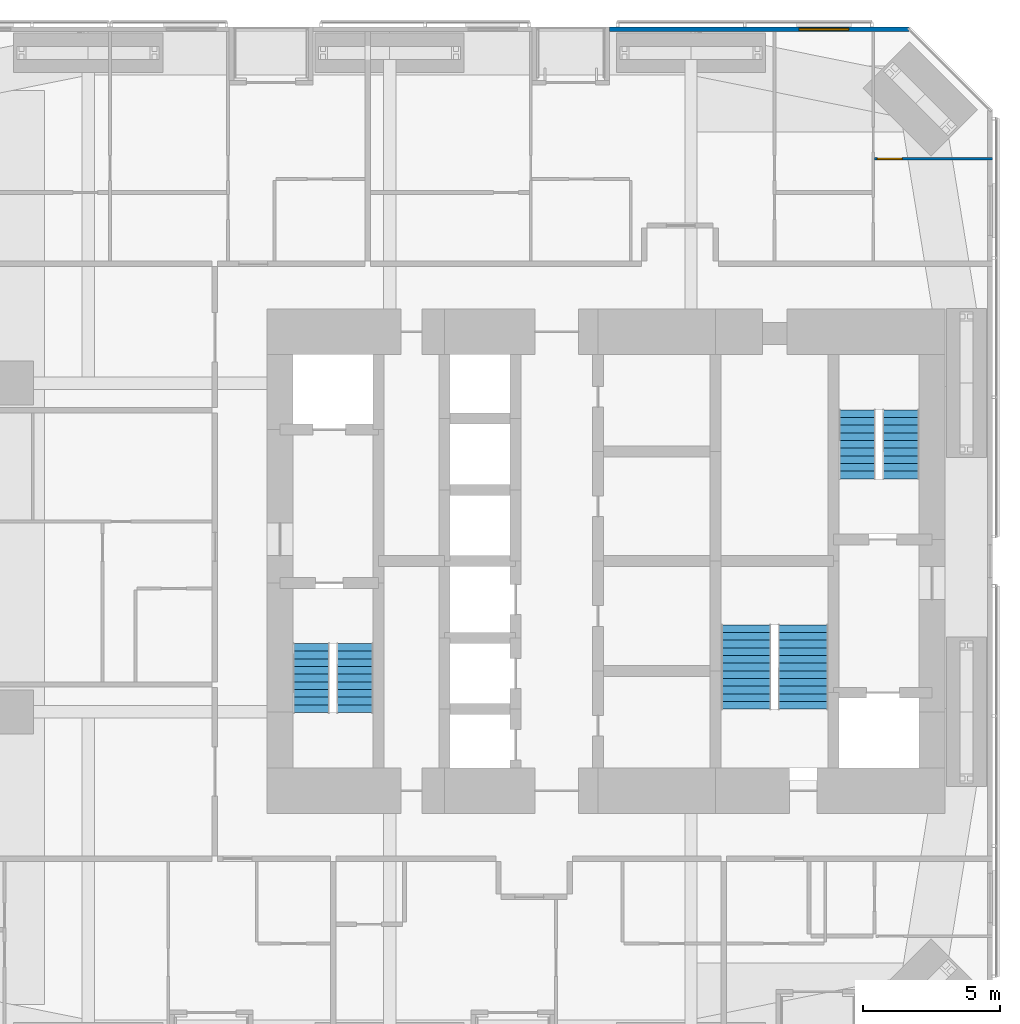
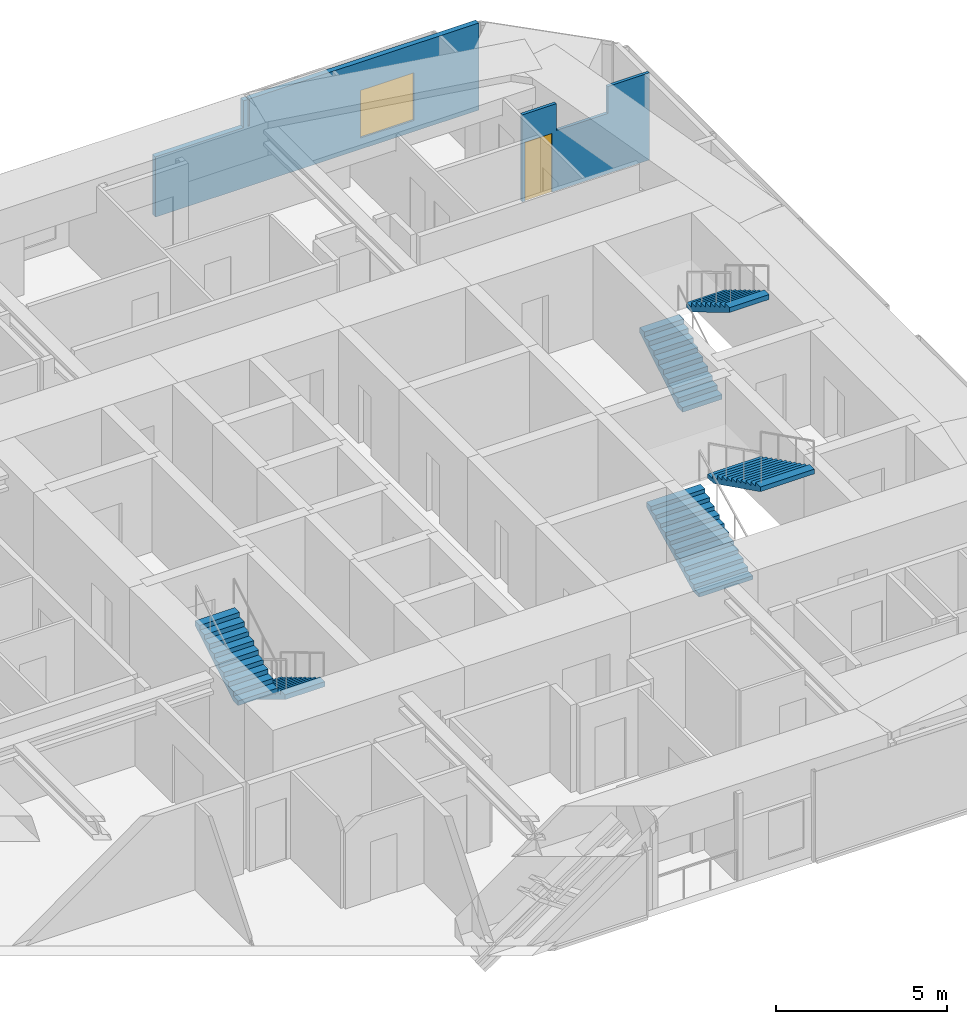
# One storey, part 22 of 23: 6 stair flights, 2 walls, 1 door, 1 window, 2 openings, 3 elements without a shape of their own.
"""IFC4 building model written with IfcOpenShell, lengths in metres."""

from ifc_helpers import new_model, si_unit, direction, frame, frame_2d, origin, place, context, subcontext, project, spatial, polyline, rectangle, outline, extrude, material, constituent, constituent_set, type_object, element, fill, aggregate, save


model = new_model("IFC4")

# Units and contexts
model_context = context("Model", 3, precision=1e-05, world=origin(), true_north=direction((0.0, 1.0)))
body_context = subcontext(model_context, "Body", "Model", "MODEL_VIEW")
ifc_project = project(units=[si_unit("LENGTHUNIT", "METRE"), si_unit("AREAUNIT", "SQUARE_METRE"), si_unit("VOLUMEUNIT", "CUBIC_METRE"), si_unit("PLANEANGLEUNIT", "RADIAN"), si_unit("MASSUNIT", "GRAM", prefix="KILO")], contexts=[model_context])

# Site, building, storey
site_placement = place(None, origin())
site = spatial("IfcSite", under=ifc_project, at=site_placement, CompositionType="ELEMENT")
building_placement = place(site_placement, origin())
building = spatial("IfcBuilding", under=site, at=building_placement, Name="Jalousie Tower", CompositionType="ELEMENT")
storey_placement = place(building_placement, frame((0.0, 0.0, 41.10009765625)))
storey = spatial("IfcBuildingStorey", under=building, at=storey_placement, Name="L10", CompositionType="ELEMENT", Elevation=41.10009765625)

# Wall, opening, window
ifc_material_1 = material(Name="Concrete f'c 40 MPa", Category="concrete")
ifc_constituent_1 = constituent(ifc_material_1, Name="Body")
ifc_material_2 = material(Name="Render, pastel coral")
ifc_constituent_2 = constituent(ifc_material_2, Name="Finish")
ifc_constituent_set_1 = constituent_set(constituents=[ifc_constituent_1, ifc_constituent_2])
wall_type_1 = type_object("IfcWallType", Name="EXTERNAL WALL 175 CORAL RENDER", PredefinedType="SOLIDWALL", material=ifc_constituent_set_1)
wall_1_placement = place(storey_placement, frame((42.94873046875, 37.91259765625, 0.0), z_axis=(0.0, 0.0, 1.0), x_axis=(-1.0, 0.0, 0.0)))
wall_1 = element("IfcWall", 1, at=wall_1_placement, inside=storey, type_object=wall_type_1, Name="External Wall 175 Coral Render L10", PredefinedType="SOLIDWALL", context=body_context, shape_type="SweptSolid", body=[
    extrude(outline(polyline([(0.0, 0.0), (10.923828125, 0.0), (10.923583984375, 2.14990234375), (7.94873046875, 2.14990234375), (7.94873046875, 3.10986328125), (7.79296875, 3.10986328125), (7.79296875, 2.14990234375), (7.74462890625, 2.14990234375), (7.74462890625, 3.10986328125), (0.0, 3.10986328125), (0.0, 0.0)])), frame((0.0, 0.08740234375, 0.0), z_axis=(0.0, -1.0, 0.0), x_axis=(1.0, 0.0, 0.0)), (0.0, 0.0, 1.0), 0.175048828125),
])
opening_1_placement = place(wall_1_placement, frame((2.19873046875, 0.0, 0.39990234375)))
opening_1 = element("IfcOpeningElement", 2, at=opening_1_placement, cuts=wall_1, Name="Opening W-BED170", PredefinedType="OPENING", context=body_context, shape_type="SweptSolid", body=[
    extrude(rectangle(XDim=1.800048828125, YDim=1.699951171875, at=frame_2d((0.89990234375, 0.85009765625))), frame((0.0, 0.097412109375, 0.0), z_axis=(0.0, -1.0, 0.0), x_axis=(1.0, 0.0, 0.0)), (0.0, 0.0, 1.0), 0.195068359375),
])
ifc_material_3 = material(Name="Aluminium frame, impact-rated glazing", Category="aluminium")
window_type = type_object("IfcWindowType", Name="WINDOW BED 1800x1700", PartitioningType="SINGLE_PANEL", PredefinedType="WINDOW", material=ifc_material_3)
window_placement = place(opening_1_placement, origin())
window = element("IfcWindow", 3, at=window_placement, inside=storey, type_object=window_type, Name="Apartment 1005 bedroom 2 window", OverallHeight=1.699951171875, OverallWidth=1.800048828125, PartitioningType="SINGLE_PANEL", PredefinedType="WINDOW", context=body_context, shape_type="SweptSolid", body=[
    extrude(rectangle(XDim=1.800048828125, YDim=1.699951171875, at=frame_2d((0.89990234375, 0.85009765625))), frame((0.0, 0.030029296875, 0.0), z_axis=(0.0, -1.0, 0.0), x_axis=(1.0, 0.0, 0.0)), (0.0, 0.0, 1.0), 0.06005859375),
])
fill(opening_1, window)

# Wall, opening, door
ifc_material_4 = material(Name="Gypsum board", Category="gypsum")
ifc_constituent_3 = constituent(ifc_material_4, Name="Body")
ifc_material_5 = material(Name="Light-gauge steel studs ASTM A653 SS Grade 33", Category="steel")
ifc_constituent_4 = constituent(ifc_material_5, Name="Framing")
ifc_constituent_set_2 = constituent_set(constituents=[ifc_constituent_3, ifc_constituent_4])
wall_type_2 = type_object("IfcWallType", Name="PARTITION 100", PredefinedType="PARTITIONING", material=ifc_constituent_set_2)
wall_2_placement = place(storey_placement, frame((41.699951171875, 33.1826171875, 0.0), z_axis=(0.0, 0.0, 1.0), x_axis=(1.0, 0.0, 0.0)))
wall_2 = element("IfcWall", 4, at=wall_2_placement, inside=storey, type_object=wall_type_2, Name="Partition 100 L10", PredefinedType="PARTITIONING", context=body_context, shape_type="SweptSolid", body=[
    extrude(outline(polyline([(0.0, 0.0), (4.300048828125, 0.0), (4.300048828125, 3.10986328125), (2.894287109375, 3.10986328125), (2.894287109375, 2.14990234375), (1.15185546875, 2.14990234375), (1.15185546875, 3.10986328125), (0.0, 3.10986328125), (0.0, 0.0)])), frame((0.0, 0.050048828125, 0.0), z_axis=(0.0, -1.0, 0.0), x_axis=(1.0, 0.0, 0.0)), (0.0, 0.0, 1.0), 0.10009765625),
])
opening_2_placement = place(wall_2_placement, frame((0.10009765625, 0.0, 0.0)))
opening_2 = element("IfcOpeningElement", 5, at=opening_2_placement, cuts=wall_2, Name="Opening D7", PredefinedType="OPENING", context=body_context, shape_type="SweptSolid", body=[
    extrude(rectangle(XDim=0.89990234375, YDim=2.10009765625, at=frame_2d((0.449951171875, 1.050048828125))), frame((0.0, 0.06005859375, 0.0), z_axis=(0.0, -1.0, 0.0), x_axis=(1.0, 0.0, 0.0)), (0.0, 0.0, 1.0), 0.1201171875),
])
ifc_material_6 = material(Name="Timber door", Category="wood")
door_type = type_object("IfcDoorType", Name="INTERNAL DOOR 900", OperationType="SINGLE_SWING_LEFT", PredefinedType="DOOR", material=ifc_material_6)
door_placement = place(opening_2_placement, frame((0.89990234375, 0.0, 0.0), z_axis=(0.0, 0.0, 1.0), x_axis=(-1.0, 0.0, 0.0)))
door = element("IfcDoor", 6, at=door_placement, inside=storey, type_object=door_type, Name="Apartment 1005 bedroom 3 dressing hall door", OperationType="SINGLE_SWING_RIGHT", OverallHeight=2.10009765625, OverallWidth=0.89990234375, PredefinedType="DOOR", context=body_context, shape_type="SweptSolid", body=[
    extrude(rectangle(XDim=0.89990234375, YDim=2.10009765625, at=frame_2d((0.449951171875, 1.050048828125))), frame((0.0, 0.02490234375, 0.0), z_axis=(0.0, -1.0, 0.0), x_axis=(1.0, 0.0, 0.0)), (0.0, 0.0, 1.0), 0.050048828125),
])
fill(opening_2, door)

# Stair, stair flights
ifc_material_7 = material(Name="Concrete f'c 40 MPa", Category="concrete")
stair_type = type_object("IfcStairType", Name="EXIT STAIR", PredefinedType="HALF_TURN_STAIR", material=ifc_material_7)
stair_1_placement = place(storey_placement, origin())
stair_1 = element("IfcStair", 7, at=stair_1_placement, inside=storey, type_object=stair_type, Name="Exit stair A L10", PredefinedType="HALF_TURN_STAIR")
ifc_material_8 = material(Name="Concrete f'c 40 MPa", Category="concrete")
stair_flight_type = type_object("IfcStairFlightType", Name="STAIR FLIGHT", PredefinedType="STRAIGHT", material=ifc_material_8)
stair_flight_1_placement = place(storey_placement, frame((22.731201171875, 15.49755859375, 0.0), z_axis=(0.0, 0.0, 1.0), x_axis=(0.0, -1.0, 0.0)))
stair_flight_1 = element("IfcStairFlight", 8, at=stair_flight_1_placement, type_object=stair_flight_type, Name="ST-A flight 1", NumberOfRisers=10, NumberOfTreads=9, PredefinedType="STRAIGHT", RiserHeight=0.1675, TreadLength=0.28, context=body_context, shape_type="SweptSolid", body=[
    extrude(outline(polyline([(0.0, 0.0), (0.0, 0.16748046875), (0.280029296875, 0.16748046875), (0.280029296875, 0.3349609375), (0.56005859375, 0.3349609375), (0.56005859375, 0.50244140625), (0.840087890625, 0.50244140625), (0.840087890625, 0.669921875), (1.1201171875, 0.669921875), (1.1201171875, 0.83740234375), (1.39990234375, 0.83740234375), (1.39990234375, 1.0048828125), (1.679931640625, 1.0048828125), (1.679931640625, 1.172607421875), (1.9599609375, 1.172607421875), (1.9599609375, 1.340087890625), (2.239990234375, 1.340087890625), (2.239990234375, 1.507568359375), (2.52001953125, 1.507568359375), (2.52001953125, 1.675048828125), (2.52001953125, 1.332763671875), (0.2919921875, 0.0), (0.0, 0.0)])), frame((0.0, 0.668701171875, 0.0), z_axis=(0.0, -1.0, 0.0), x_axis=(1.0, 0.0, 0.0)), (0.0, 0.0, 1.0), 1.33740234375),
])
stair_flight_2_placement = place(storey_placement, frame((21.143798828125, 12.9775390625, 1.6748046875), z_axis=(0.0, 0.0, 1.0), x_axis=(0.0, 1.0, 0.0)))
stair_flight_2 = element("IfcStairFlight", 9, at=stair_flight_2_placement, type_object=stair_flight_type, Name="ST-A flight 2", NumberOfRisers=10, NumberOfTreads=9, PredefinedType="STRAIGHT", RiserHeight=0.1675, TreadLength=0.28, context=body_context, shape_type="SweptSolid", body=[
    extrude(outline(polyline([(0.0, 0.0), (0.0, 0.16748046875), (0.280029296875, 0.16748046875), (0.280029296875, 0.3349609375), (0.56005859375, 0.3349609375), (0.56005859375, 0.50244140625), (0.840087890625, 0.50244140625), (0.840087890625, 0.669921875), (1.1201171875, 0.669921875), (1.1201171875, 0.83740234375), (1.39990234375, 0.83740234375), (1.39990234375, 1.0048828125), (1.679931640625, 1.0048828125), (1.679931640625, 1.172607421875), (1.9599609375, 1.172607421875), (1.9599609375, 1.340087890625), (2.239990234375, 1.340087890625), (2.239990234375, 1.507568359375), (2.52001953125, 1.507568359375), (2.52001953125, 1.675048828125), (2.52001953125, 1.332763671875), (0.2919921875, 0.0), (0.0, 0.0)])), frame((0.0, 0.668701171875, 0.0), z_axis=(0.0, -1.0, 0.0), x_axis=(1.0, 0.0, 0.0)), (0.0, 0.0, 1.0), 1.33740234375),
])
aggregate(stair_1, [stair_flight_1, stair_flight_2])

stair_2_placement = place(storey_placement, origin())
stair_2 = element("IfcStair", 10, at=stair_2_placement, inside=storey, type_object=stair_type, Name="Exit stair B L10", PredefinedType="HALF_TURN_STAIR")
stair_flight_3_placement = place(storey_placement, frame((41.06884765625, 21.50244140625, 0.0), z_axis=(0.0, 0.0, 1.0), x_axis=(0.0, 1.0, 0.0)))
stair_flight_3 = element("IfcStairFlight", 11, at=stair_flight_3_placement, type_object=stair_flight_type, Name="ST-B flight 1", NumberOfRisers=10, NumberOfTreads=9, PredefinedType="STRAIGHT", RiserHeight=0.1675, TreadLength=0.28, context=body_context, shape_type="SweptSolid", body=[
    extrude(outline(polyline([(0.0, 0.0), (0.0, 0.16748046875), (0.280029296875, 0.16748046875), (0.280029296875, 0.3349609375), (0.56005859375, 0.3349609375), (0.56005859375, 0.50244140625), (0.840087890625, 0.50244140625), (0.840087890625, 0.669921875), (1.1201171875, 0.669921875), (1.1201171875, 0.83740234375), (1.39990234375, 0.83740234375), (1.39990234375, 1.0048828125), (1.679931640625, 1.0048828125), (1.679931640625, 1.172607421875), (1.9599609375, 1.172607421875), (1.9599609375, 1.340087890625), (2.239990234375, 1.340087890625), (2.239990234375, 1.507568359375), (2.52001953125, 1.507568359375), (2.52001953125, 1.675048828125), (2.52001953125, 1.332763671875), (0.2919921875, 0.0), (0.0, 0.0)])), frame((0.0, 0.668701171875, 0.0), z_axis=(0.0, -1.0, 0.0), x_axis=(1.0, 0.0, 0.0)), (0.0, 0.0, 1.0), 1.33740234375),
])
stair_flight_4_placement = place(storey_placement, frame((42.65625, 24.0224609375, 1.6748046875), z_axis=(0.0, 0.0, 1.0), x_axis=(0.0, -1.0, 0.0)))
stair_flight_4 = element("IfcStairFlight", 12, at=stair_flight_4_placement, type_object=stair_flight_type, Name="ST-B flight 2", NumberOfRisers=10, NumberOfTreads=9, PredefinedType="STRAIGHT", RiserHeight=0.1675, TreadLength=0.28, context=body_context, shape_type="SweptSolid", body=[
    extrude(outline(polyline([(0.0, 0.0), (0.0, 0.16748046875), (0.280029296875, 0.16748046875), (0.280029296875, 0.3349609375), (0.56005859375, 0.3349609375), (0.56005859375, 0.50244140625), (0.840087890625, 0.50244140625), (0.840087890625, 0.669921875), (1.1201171875, 0.669921875), (1.1201171875, 0.83740234375), (1.39990234375, 0.83740234375), (1.39990234375, 1.0048828125), (1.679931640625, 1.0048828125), (1.679931640625, 1.172607421875), (1.9599609375, 1.172607421875), (1.9599609375, 1.340087890625), (2.239990234375, 1.340087890625), (2.239990234375, 1.507568359375), (2.52001953125, 1.507568359375), (2.52001953125, 1.675048828125), (2.52001953125, 1.332763671875), (0.2919921875, 0.0), (0.0, 0.0)])), frame((0.0, 0.668701171875, 0.0), z_axis=(0.0, -1.0, 0.0), x_axis=(1.0, 0.0, 0.0)), (0.0, 0.0, 1.0), 1.33740234375),
])
aggregate(stair_2, [stair_flight_3, stair_flight_4])

stair_3_placement = place(storey_placement, origin())
stair_3 = element("IfcStair", 13, at=stair_3_placement, inside=storey, type_object=stair_type, Name="Exit stair C L10", PredefinedType="HALF_TURN_STAIR")
stair_flight_5_placement = place(storey_placement, frame((37.012451171875, 13.097412109375, 0.0), z_axis=(0.0, 0.0, 1.0), x_axis=(0.0, 1.0, 0.0)))
stair_flight_5 = element("IfcStairFlight", 14, at=stair_flight_5_placement, type_object=stair_flight_type, Name="ST-C flight 1", NumberOfRisers=12, NumberOfTreads=11, PredefinedType="STRAIGHT", RiserHeight=0.139583333, TreadLength=0.28, context=body_context, shape_type="SweptSolid", body=[
    extrude(outline(polyline([(0.0, 0.0), (0.0, 0.1396484375), (0.280029296875, 0.1396484375), (0.280029296875, 0.279052734375), (0.56005859375, 0.279052734375), (0.56005859375, 0.418701171875), (0.840087890625, 0.418701171875), (0.840087890625, 0.558349609375), (1.1201171875, 0.558349609375), (1.1201171875, 0.697998046875), (1.39990234375, 0.697998046875), (1.39990234375, 0.83740234375), (1.679931640625, 0.83740234375), (1.679931640625, 0.97705078125), (1.9599609375, 0.97705078125), (1.9599609375, 1.11669921875), (2.239990234375, 1.11669921875), (2.239990234375, 1.25634765625), (2.52001953125, 1.25634765625), (2.52001953125, 1.395751953125), (2.800048828125, 1.395751953125), (2.800048828125, 1.535400390625), (3.080078125, 1.535400390625), (3.080078125, 1.675048828125), (3.080078125, 1.367919921875), (0.3359375, 0.0), (0.0, 0.0)])), frame((0.0, 0.91259765625, 0.0), z_axis=(0.0, -1.0, 0.0), x_axis=(1.0, 0.0, 0.0)), (0.0, 0.0, 1.0), 1.824951171875),
])
stair_flight_6_placement = place(storey_placement, frame((39.08740234375, 16.177490234375, 1.6748046875), z_axis=(0.0, 0.0, 1.0), x_axis=(0.0, -1.0, 0.0)))
stair_flight_6 = element("IfcStairFlight", 15, at=stair_flight_6_placement, type_object=stair_flight_type, Name="ST-C flight 2", NumberOfRisers=12, NumberOfTreads=11, PredefinedType="STRAIGHT", RiserHeight=0.139583333, TreadLength=0.28, context=body_context, shape_type="SweptSolid", body=[
    extrude(outline(polyline([(0.0, 0.0), (0.0, 0.1396484375), (0.280029296875, 0.1396484375), (0.280029296875, 0.279052734375), (0.56005859375, 0.279052734375), (0.56005859375, 0.418701171875), (0.840087890625, 0.418701171875), (0.840087890625, 0.558349609375), (1.1201171875, 0.558349609375), (1.1201171875, 0.697998046875), (1.39990234375, 0.697998046875), (1.39990234375, 0.83740234375), (1.679931640625, 0.83740234375), (1.679931640625, 0.97705078125), (1.9599609375, 0.97705078125), (1.9599609375, 1.11669921875), (2.239990234375, 1.11669921875), (2.239990234375, 1.25634765625), (2.52001953125, 1.25634765625), (2.52001953125, 1.395751953125), (2.800048828125, 1.395751953125), (2.800048828125, 1.535400390625), (3.080078125, 1.535400390625), (3.080078125, 1.675048828125), (3.080078125, 1.367919921875), (0.3359375, 0.0), (0.0, 0.0)])), frame((0.0, 0.91259765625, 0.0), z_axis=(0.0, -1.0, 0.0), x_axis=(1.0, 0.0, 0.0)), (0.0, 0.0, 1.0), 1.824951171875),
])
aggregate(stair_3, [stair_flight_5, stair_flight_6])

save(model, "model.ifc")
